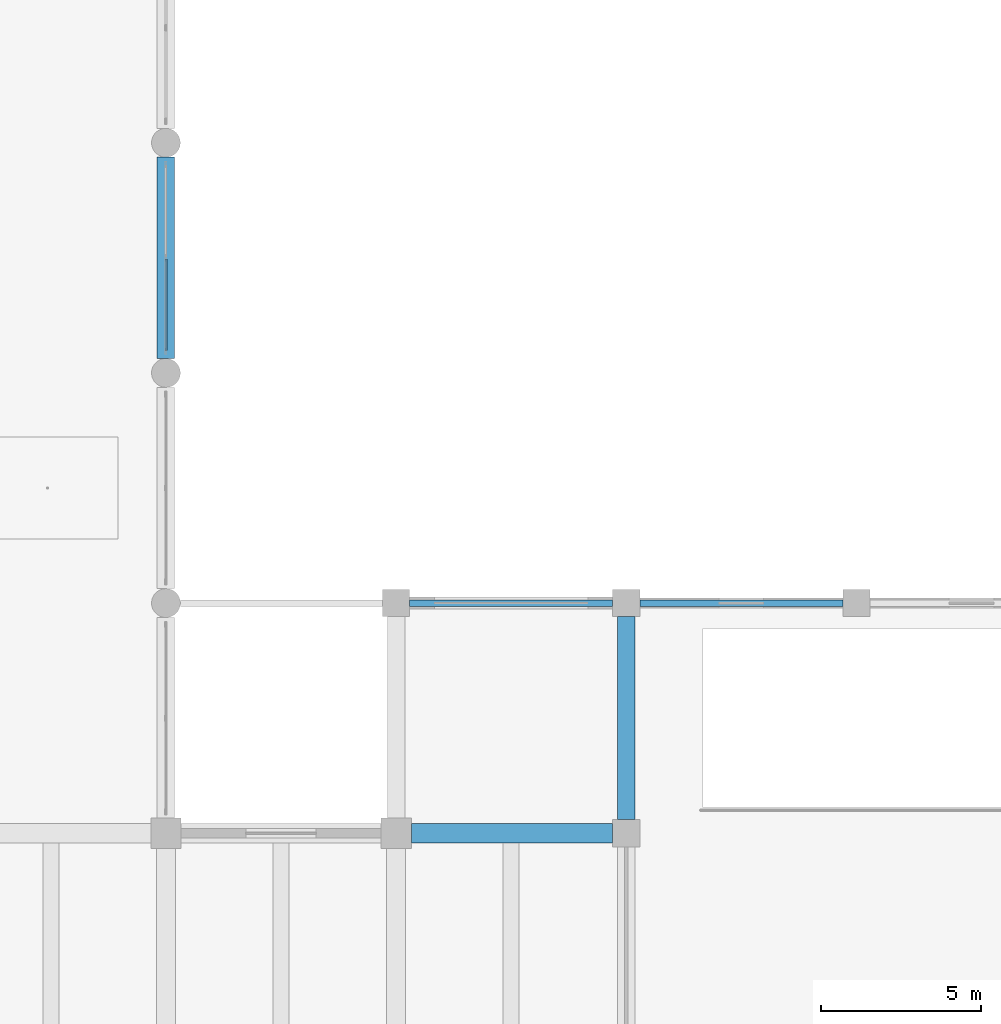
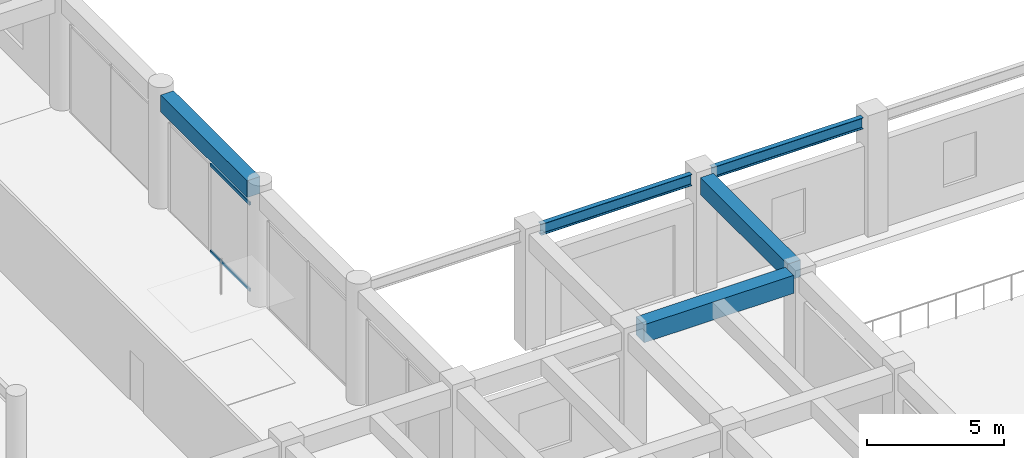
# One storey, part 18 of 56: 5 beams, 2 members, 1 element without a shape of its own.
"""IFC4 building model written with IfcOpenShell, lengths in metres."""

from ifc_helpers import new_model, si_unit, direction, frame, origin, origin_2d, place, context, subcontext, project, spatial, rectangle, hollow_rectangle, i_section, extrude, material, material_profile, profile_set, type_object, element, aggregate, save


model = new_model("IFC4")

# Units and contexts
model_context = context("Model", 3, precision=1e-05, world=origin(), true_north=direction((0.0, 1.0)))
body_context = subcontext(model_context, "Body", "Model", "MODEL_VIEW")
ifc_project = project(units=[si_unit("LENGTHUNIT", "METRE"), si_unit("AREAUNIT", "SQUARE_METRE"), si_unit("VOLUMEUNIT", "CUBIC_METRE"), si_unit("PLANEANGLEUNIT", "RADIAN"), si_unit("MASSUNIT", "GRAM", prefix="KILO")], contexts=[model_context])

# Site, building, storey
site_placement = place(None, origin())
site = spatial("IfcSite", under=ifc_project, at=site_placement, CompositionType="ELEMENT")
building_placement = place(site_placement, origin())
building = spatial("IfcBuilding", under=site, at=building_placement, Name="Kazehaya Institute of Natural Sciences", CompositionType="ELEMENT")
storey_placement = place(building_placement, origin())
storey = spatial("IfcBuildingStorey", under=building, at=storey_placement, Name="L00", CompositionType="ELEMENT", Elevation=0.0)

# Beams
ifc_material_1 = material(Name="Concrete Fc36", Category="concrete")
ifc_material_profile_1 = material_profile(ifc_material_1, rectangle(XDim=0.550048828125, YDim=0.75, at=origin_2d()), Name="RC-550x750")
ifc_profile_set_1 = profile_set([ifc_material_profile_1], Name="Concrete Fc36")
beam_type_1 = type_object("IfcBeamType", Name="BM-G-550x750", PredefinedType="BEAM", material=ifc_profile_set_1)
beam_1_placement = place(storey_placement, frame((112.199951171875, 50.449951171875, 4.7548828125), z_axis=(0.0, 1.0, 0.0), x_axis=(-1.0, 0.0, 0.0)))
element("IfcBeam", 1, at=beam_1_placement, inside=storey, type_object=beam_type_1, Name="L00 primary Y girder BMY-L00-1122-500", PredefinedType="BEAM", context=body_context, shape_type="SweptSolid", body=[
    extrude(rectangle(XDim=0.550048828125, YDim=0.75, at=origin_2d()), origin(), (0.0, 0.0, 1.0), 6.300048828125),
])
beam_2_placement = place(storey_placement, frame((126.60009765625, 36.02490234375, 4.7548828125), z_axis=(0.0, 1.0, 0.0), x_axis=(-1.0, 0.0, 0.0)))
element("IfcBeam", 2, at=beam_2_placement, inside=storey, type_object=beam_type_1, Name="L00 primary Y girder BMY-L00-1266-356", PredefinedType="BEAM", context=body_context, shape_type="SweptSolid", body=[
    extrude(rectangle(XDim=0.550048828125, YDim=0.75, at=origin_2d()), origin(), (0.0, 0.0, 1.0), 6.35009765625),
])
ifc_material_profile_2 = material_profile(ifc_material_1, rectangle(XDim=0.60009765625, YDim=0.800048828125, at=origin_2d()), Name="RC-600x800")
ifc_profile_set_2 = profile_set([ifc_material_profile_2], Name="Concrete Fc36")
beam_type_2 = type_object("IfcBeamType", Name="BM-G-600x800", PredefinedType="BEAM", material=ifc_profile_set_2)
beam_3_placement = place(storey_placement, frame((119.875, 35.60009765625, 4.72998046875), z_axis=(1.0, 0.0, 0.0), x_axis=(0.0, 1.0, 0.0)))
element("IfcBeam", 3, at=beam_3_placement, inside=storey, type_object=beam_type_2, Name="L00 primary X girder BMX-L00-1194-356", PredefinedType="BEAM", context=body_context, shape_type="SweptSolid", body=[
    extrude(rectangle(XDim=0.60009765625, YDim=0.800048828125, at=origin_2d()), origin(), (0.0, 0.0, 1.0), 6.300048828125),
])
ifc_material_2 = material(Name="Structural steel SN490B", Category="steel")
ifc_material_profile_3 = material_profile(ifc_material_2, i_section(OverallWidth=0.199951171875, OverallDepth=0.5, WebThickness=0.010009765625, FlangeThickness=0.01611328125, FilletRadius=0.01611328125, at=origin_2d()), Name="H-500x200x10x16")
ifc_profile_set_3 = profile_set([ifc_material_profile_3], Name="Structural steel SN490B")
beam_type_3 = type_object("IfcBeamType", Name="BM-STL-H500", PredefinedType="BEAM", material=ifc_profile_set_3)
for number, where, z_axis, x_axis, name in (
    (4, (119.824951171875, 42.800048828125, 4.8798828125), (1.0, 0.0, 0.0), (0.0, 1.0, 0.0), "L00 primary X girder BMX-L00-1194-428"),
    (5, (127.02490234375, 42.800048828125, 4.8798828125), (1.0, 0.0, 0.0), (0.0, 1.0, 0.0), "L00 primary X girder BMX-L00-1266-428"),
):
    element("IfcBeam", number, at=place(storey_placement, frame(where, z_axis=z_axis, x_axis=x_axis)), inside=storey, type_object=beam_type_3, Name=name, PredefinedType="BEAM", context=body_context, shape_type="SweptSolid", body=[
        extrude(i_section(OverallWidth=0.199951171875, OverallDepth=0.5, WebThickness=0.010009765625, FlangeThickness=0.01611328125, FilletRadius=0.01611328125, at=origin_2d()), origin(), (0.0, 0.0, 1.0), 6.35009765625),
    ])

# Curtain wall, members
ifc_material_3 = material(Name="Aluminium alloy A6063S-T5", Category="aluminium")
curtain_wall_type = type_object("IfcCurtainWallType", Name="CW-SYS-01", PredefinedType="NOTDEFINED", material=ifc_material_3)
curtain_wall_placement = place(storey_placement, origin())
curtain_wall = element("IfcCurtainWall", 6, at=curtain_wall_placement, inside=storey, type_object=curtain_wall_type, Name="L00 unitised curtain wall CW-L00-012", PredefinedType="NOTDEFINED")
ifc_material_profile_4 = material_profile(ifc_material_3, hollow_rectangle(XDim=0.06005859375, YDim=0.139892578125, WallThickness=0.00341796875, at=origin_2d()), Name="ALU-60x140x3.5")
ifc_profile_set_4 = profile_set([ifc_material_profile_4], Name="Aluminium alloy A6063S-T5")
member_type = type_object("IfcMemberType", Name="CWT-140", PredefinedType="USERDEFINED", material=ifc_profile_set_4)
member_1_placement = place(storey_placement, frame((112.199951171875, 53.570068359375, 0.030029296875), z_axis=(0.0, -1.0, 0.0), x_axis=(1.0, 0.0, 0.0)))
member_1 = element("IfcMember", 7, at=member_1_placement, type_object=member_type, Name="CW01 transom 2.1", ObjectType="TRANSOM", PredefinedType="USERDEFINED", context=body_context, shape_type="SweptSolid", body=[
    extrude(hollow_rectangle(XDim=0.06005859375, YDim=0.139892578125, WallThickness=0.00341796875, at=origin_2d()), origin(), (0.0, 0.0, 1.0), 2.8701171875),
])
member_2_placement = place(storey_placement, frame((112.199951171875, 53.570068359375, 3.8701171875), z_axis=(0.0, -1.0, 0.0), x_axis=(1.0, 0.0, 0.0)))
member_2 = element("IfcMember", 8, at=member_2_placement, type_object=member_type, Name="CW01 transom 2.2", ObjectType="TRANSOM", PredefinedType="USERDEFINED", context=body_context, shape_type="SweptSolid", body=[
    extrude(hollow_rectangle(XDim=0.06005859375, YDim=0.139892578125, WallThickness=0.00341796875, at=origin_2d()), origin(), (0.0, 0.0, 1.0), 2.8701171875),
])
aggregate(curtain_wall, [member_1, member_2])

save(model, "model.ifc")
